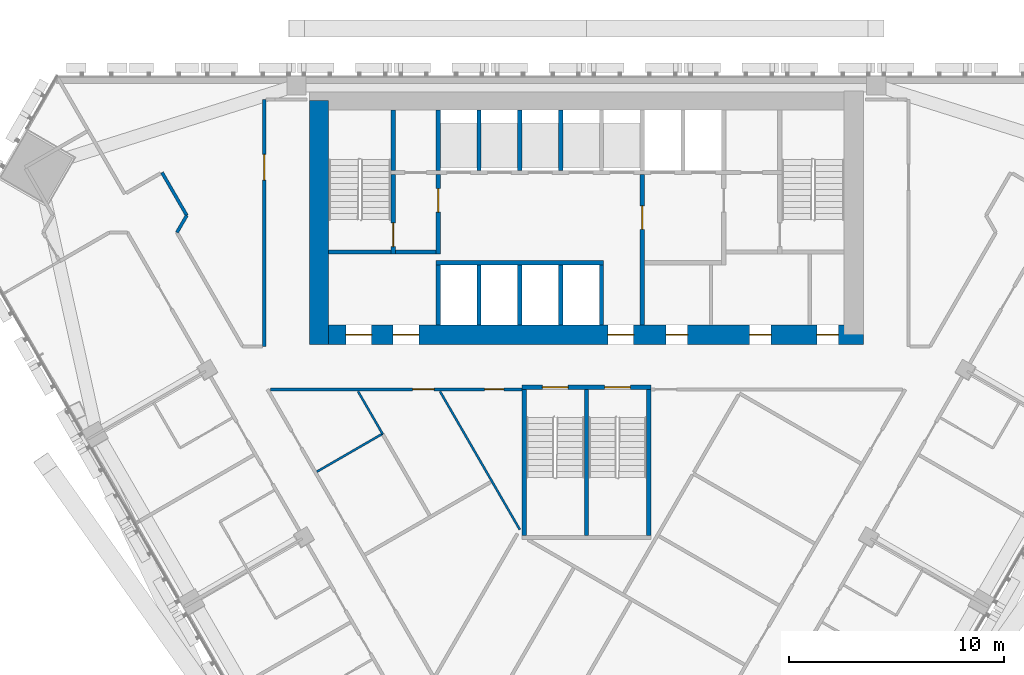
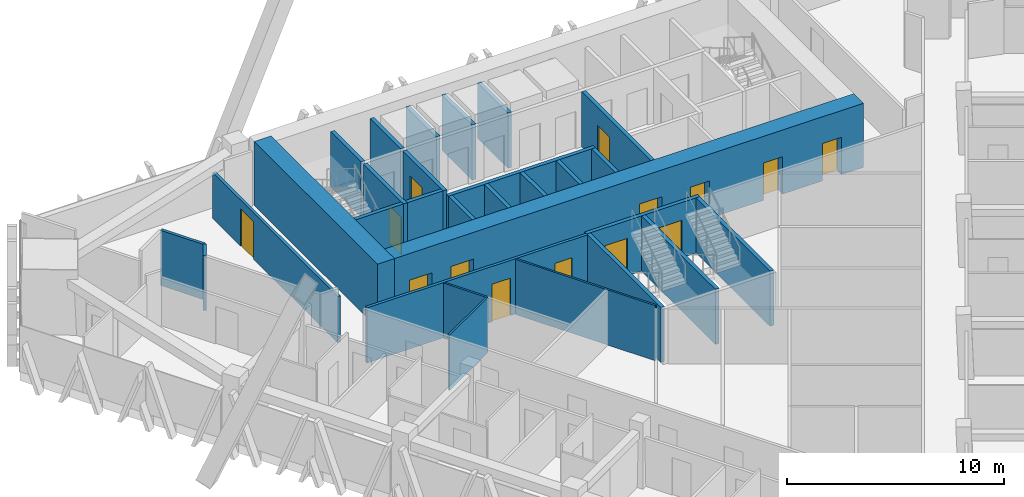
# One storey, part 18 of 23: 29 walls, 14 doors, 14 openings.
"""IFC4 building model written with IfcOpenShell, lengths in metres."""

from ifc_helpers import new_model, si_unit, direction, frame, frame_2d, origin, place, context, subcontext, project, spatial, rectangle, extrude, material, layer, layer_set, type_object, element, fill, save


model = new_model("IFC4")

# Units and contexts
model_context = context("Model", 3, precision=1e-05, world=origin(), true_north=direction((0.0, 1.0)))
body_context = subcontext(model_context, "Body", "Model", "MODEL_VIEW")
ifc_project = project(units=[si_unit("LENGTHUNIT", "METRE"), si_unit("AREAUNIT", "SQUARE_METRE"), si_unit("VOLUMEUNIT", "CUBIC_METRE"), si_unit("PLANEANGLEUNIT", "RADIAN"), si_unit("MASSUNIT", "GRAM", prefix="KILO")], contexts=[model_context])

# Site, building, storey
site_placement = place(None, origin())
site = spatial("IfcSite", under=ifc_project, at=site_placement, CompositionType="ELEMENT")
building_placement = place(site_placement, origin())
building = spatial("IfcBuilding", under=site, at=building_placement, Name="Altiplano Prism Tower", CompositionType="ELEMENT")
storey_placement = place(building_placement, frame((0.0, 0.0, 100.800048828125)))
storey = spatial("IfcBuildingStorey", under=building, at=storey_placement, Name="L25", CompositionType="ELEMENT", Elevation=100.800048828125)

# Wall, openings, doors
ifc_material_1 = material(Name="Concrete C70/85", Category="concrete")
ifc_layer_1 = layer(ifc_material_1, 0.89990234375)
ifc_layer_set_1 = layer_set([ifc_layer_1], Name="Concrete C70/85")
wall_type_1 = type_object("IfcWallType", Name="Core wall 900", PredefinedType="SHEAR", material=ifc_layer_set_1)
wall_1_placement = place(storey_placement, frame((72.550048828125, 92.949951171875, 0.0), z_axis=(0.0, 0.0, 1.0), x_axis=(1.0, 0.0, 0.0)))
wall_1 = element("IfcWall", 1, at=wall_1_placement, inside=storey, type_object=wall_type_1, Name="Core wall S L25", PredefinedType="SHEAR", context=body_context, shape_type="SweptSolid", body=[
    extrude(rectangle(XDim=25.349853515625, YDim=0.89990234375, at=frame_2d((12.6748046875, 0.0))), origin(), (0.0, 0.0, 1.0), 3.599853515625),
])
opening_1_placement = place(wall_1_placement, frame((1.25, 0.0, 0.0)))
opening_1 = element("IfcOpeningElement", 2, at=opening_1_placement, cuts=wall_1, Name="Opening D2925", PredefinedType="OPENING", context=body_context, shape_type="SweptSolid", body=[
    extrude(rectangle(XDim=1.199951171875, YDim=2.10009765625, at=frame_2d((0.60009765625, 1.050048828125))), frame((0.0, 0.46044921875, 0.0), z_axis=(0.0, -1.0, 0.0), x_axis=(1.0, 0.0, 0.0)), (0.0, 0.0, 1.0), 0.9208984375),
])
opening_2_placement = place(wall_1_placement, frame((3.449951171875, 0.0, 0.0)))
opening_2 = element("IfcOpeningElement", 3, at=opening_2_placement, cuts=wall_1, Name="Opening D2926", PredefinedType="OPENING", context=body_context, shape_type="SweptSolid", body=[
    extrude(rectangle(XDim=1.199951171875, YDim=2.10009765625, at=frame_2d((0.60009765625, 1.050048828125))), frame((0.0, 0.46044921875, 0.0), z_axis=(0.0, -1.0, 0.0), x_axis=(1.0, 0.0, 0.0)), (0.0, 0.0, 1.0), 0.9208984375),
])
opening_3_placement = place(wall_1_placement, frame((13.449951171875, 0.0, 0.0)))
opening_3 = element("IfcOpeningElement", 4, at=opening_3_placement, cuts=wall_1, Name="Opening D2927", PredefinedType="OPENING", context=body_context, shape_type="SweptSolid", body=[
    extrude(rectangle(XDim=1.199951171875, YDim=2.10009765625, at=frame_2d((0.60009765625, 1.050048828125))), frame((0.0, 0.46044921875, 0.0), z_axis=(0.0, -1.0, 0.0), x_axis=(1.0, 0.0, 0.0)), (0.0, 0.0, 1.0), 0.9208984375),
])
opening_4_placement = place(wall_1_placement, frame((16.16259765625, 0.0, 0.0)))
opening_4 = element("IfcOpeningElement", 5, at=opening_4_placement, cuts=wall_1, Name="Opening D2930", PredefinedType="OPENING", context=body_context, shape_type="SweptSolid", body=[
    extrude(rectangle(XDim=1.0, YDim=2.10009765625, at=frame_2d((0.5, 1.050048828125))), frame((0.0, 0.46044921875, 0.0), z_axis=(0.0, -1.0, 0.0), x_axis=(1.0, 0.0, 0.0)), (0.0, 0.0, 1.0), 0.9208984375),
])
opening_5_placement = place(wall_1_placement, frame((20.050048828125, 0.0, 0.0)))
opening_5 = element("IfcOpeningElement", 6, at=opening_5_placement, cuts=wall_1, Name="Opening D2931", PredefinedType="OPENING", context=body_context, shape_type="SweptSolid", body=[
    extrude(rectangle(XDim=1.0, YDim=2.10009765625, at=frame_2d((0.5, 1.050048828125))), frame((0.0, 0.46044921875, 0.0), z_axis=(0.0, -1.0, 0.0), x_axis=(1.0, 0.0, 0.0)), (0.0, 0.0, 1.0), 0.9208984375),
])
opening_6_placement = place(wall_1_placement, frame((23.1875, 0.0, 0.0)))
opening_6 = element("IfcOpeningElement", 7, at=opening_6_placement, cuts=wall_1, Name="Opening D2932", PredefinedType="OPENING", context=body_context, shape_type="SweptSolid", body=[
    extrude(rectangle(XDim=1.0, YDim=2.10009765625, at=frame_2d((0.5, 1.050048828125))), frame((0.0, 0.46044921875, 0.0), z_axis=(0.0, -1.0, 0.0), x_axis=(1.0, 0.0, 0.0)), (0.0, 0.0, 1.0), 0.9208984375),
])
ifc_material_2 = material(Name="Fire-rated steel door", Category="steel")
door_type_1 = type_object("IfcDoorType", Name="Core room door 1000 x 2100", OperationType="NOTDEFINED", PredefinedType="NOTDEFINED", material=ifc_material_2)
door_1_placement = place(opening_4_placement, origin())
door_1 = element("IfcDoor", 8, at=door_1_placement, inside=storey, type_object=door_type_1, Name="Core room door D2930", OperationType="SINGLE_SWING_RIGHT", OverallHeight=2.10009765625, OverallWidth=1.0, PredefinedType="NOTDEFINED", context=body_context, shape_type="SweptSolid", body=[
    extrude(rectangle(XDim=1.0, YDim=2.10009765625, at=frame_2d((0.5, 1.050048828125))), frame((0.0, 0.02490234375, 0.0), z_axis=(0.0, -1.0, 0.0), x_axis=(1.0, 0.0, 0.0)), (0.0, 0.0, 1.0), 0.050048828125),
])
fill(opening_4, door_1)
door_2_placement = place(opening_5_placement, origin())
door_2 = element("IfcDoor", 9, at=door_2_placement, inside=storey, type_object=door_type_1, Name="Core room door D2931", OperationType="SINGLE_SWING_LEFT", OverallHeight=2.10009765625, OverallWidth=1.0, PredefinedType="NOTDEFINED", context=body_context, shape_type="SweptSolid", body=[
    extrude(rectangle(XDim=1.0, YDim=2.10009765625, at=frame_2d((0.5, 1.050048828125))), frame((0.0, 0.02490234375, 0.0), z_axis=(0.0, -1.0, 0.0), x_axis=(1.0, 0.0, 0.0)), (0.0, 0.0, 1.0), 0.050048828125),
])
fill(opening_5, door_2)
door_3_placement = place(opening_6_placement, origin())
door_3 = element("IfcDoor", 10, at=door_3_placement, inside=storey, type_object=door_type_1, Name="Core room door D2932", OperationType="SINGLE_SWING_RIGHT", OverallHeight=2.10009765625, OverallWidth=1.0, PredefinedType="NOTDEFINED", context=body_context, shape_type="SweptSolid", body=[
    extrude(rectangle(XDim=1.0, YDim=2.10009765625, at=frame_2d((0.5, 1.050048828125))), frame((0.0, 0.02490234375, 0.0), z_axis=(0.0, -1.0, 0.0), x_axis=(1.0, 0.0, 0.0)), (0.0, 0.0, 1.0), 0.050048828125),
])
fill(opening_6, door_3)
door_type_2 = type_object("IfcDoorType", Name="Lobby fire door 1200 x 2100", OperationType="NOTDEFINED", PredefinedType="NOTDEFINED", material=ifc_material_2)
door_4_placement = place(opening_1_placement, origin())
door_4 = element("IfcDoor", 11, at=door_4_placement, inside=storey, type_object=door_type_2, Name="Lobby fire door D2925", OperationType="SINGLE_SWING_RIGHT", OverallHeight=2.10009765625, OverallWidth=1.199951171875, PredefinedType="NOTDEFINED", context=body_context, shape_type="SweptSolid", body=[
    extrude(rectangle(XDim=1.199951171875, YDim=2.10009765625, at=frame_2d((0.60009765625, 1.050048828125))), frame((0.0, 0.02490234375, 0.0), z_axis=(0.0, -1.0, 0.0), x_axis=(1.0, 0.0, 0.0)), (0.0, 0.0, 1.0), 0.050048828125),
])
fill(opening_1, door_4)
door_5_placement = place(opening_2_placement, origin())
door_5 = element("IfcDoor", 12, at=door_5_placement, inside=storey, type_object=door_type_2, Name="Lobby fire door D2926", OperationType="SINGLE_SWING_LEFT", OverallHeight=2.10009765625, OverallWidth=1.199951171875, PredefinedType="NOTDEFINED", context=body_context, shape_type="SweptSolid", body=[
    extrude(rectangle(XDim=1.199951171875, YDim=2.10009765625, at=frame_2d((0.60009765625, 1.050048828125))), frame((0.0, 0.02490234375, 0.0), z_axis=(0.0, -1.0, 0.0), x_axis=(1.0, 0.0, 0.0)), (0.0, 0.0, 1.0), 0.050048828125),
])
fill(opening_2, door_5)
door_6_placement = place(opening_3_placement, origin())
door_6 = element("IfcDoor", 13, at=door_6_placement, inside=storey, type_object=door_type_2, Name="Lobby fire door D2927", OperationType="SINGLE_SWING_RIGHT", OverallHeight=2.10009765625, OverallWidth=1.199951171875, PredefinedType="NOTDEFINED", context=body_context, shape_type="SweptSolid", body=[
    extrude(rectangle(XDim=1.199951171875, YDim=2.10009765625, at=frame_2d((0.60009765625, 1.050048828125))), frame((0.0, 0.02490234375, 0.0), z_axis=(0.0, -1.0, 0.0), x_axis=(1.0, 0.0, 0.0)), (0.0, 0.0, 1.0), 0.050048828125),
])
fill(opening_3, door_6)

# Walls
wall_2_placement = place(storey_placement, frame((72.550048828125, 103.85009765625, 0.0), z_axis=(0.0, 0.0, 1.0), x_axis=(0.0, -1.0, 0.0)))
element("IfcWall", 14, at=wall_2_placement, inside=storey, type_object=wall_type_1, Name="Core wall W L25", PredefinedType="SHEAR", context=body_context, shape_type="SweptSolid", body=[
    extrude(rectangle(XDim=11.35009765625, YDim=0.89990234375, at=frame_2d((5.675048828125, 0.0))), origin(), (0.0, 0.0, 1.0), 3.599853515625),
])
ifc_material_3 = material(Name="Plasterboard on steel stud", Category="steel")
ifc_layer_2 = layer(ifc_material_3, 0.10009765625)
ifc_layer_set_2 = layer_set([ifc_layer_2], Name="Plasterboard on steel stud")
wall_type_2 = type_object("IfcWallType", Name="Partition 100 wet", PredefinedType="PARTITIONING", material=ifc_layer_set_2)
wall_3_placement = place(storey_placement, frame((75.51611328125, 88.314697265625, 0.0), z_axis=(0.0, 0.0, 1.0), x_axis=(-0.499999010461, 0.866025975094, 0.0)))
element("IfcWall", 15, at=wall_3_placement, inside=storey, type_object=wall_type_2, Name="Partition P03 L25 037", PredefinedType="PARTITIONING", context=body_context, shape_type="SweptSolid", body=[
    extrude(rectangle(XDim=2.29248046875, YDim=0.10009765625, at=frame_2d((1.146240234375, 0.0))), origin(), (0.0, 0.0, 1.0), 3.099853515625),
])
wall_4_placement = place(storey_placement, frame((72.449951171875, 86.567626953125, 0.0), z_axis=(0.0, 0.0, 1.0), x_axis=(0.866033512162, 0.499985955615, 0.0)))
element("IfcWall", 16, at=wall_4_placement, inside=storey, type_object=wall_type_2, Name="Partition P03 L25 038", PredefinedType="PARTITIONING", context=body_context, shape_type="SweptSolid", body=[
    extrude(rectangle(XDim=3.52880859375, YDim=0.10009765625, at=frame_2d((1.764404296875, 0.0))), origin(), (0.0, 0.0, 1.0), 3.099853515625),
])
wall_5_placement = place(storey_placement, frame((78.1865234375, 90.300048828125, 0.0), z_axis=(0.0, 0.0, 1.0), x_axis=(0.499983376661, -0.866035001061, 0.0)))
element("IfcWall", 17, at=wall_5_placement, inside=storey, type_object=wall_type_2, Name="Partition P03 L25 039", PredefinedType="PARTITIONING", context=body_context, shape_type="SweptSolid", body=[
    extrude(rectangle(XDim=7.424560546875, YDim=0.10009765625, at=frame_2d((3.71240234375, 0.0))), origin(), (0.0, 0.0, 1.0), 3.099853515625),
])

# Wall, openings, doors
ifc_layer_3 = layer(ifc_material_3, 0.14990234375)
ifc_layer_set_3 = layer_set([ifc_layer_3], Name="Plasterboard on steel stud")
wall_type_3 = type_object("IfcWallType", Name="Partition 150 corridor", PredefinedType="PARTITIONING", material=ifc_layer_set_3)
wall_6_placement = place(storey_placement, frame((70.28076171875, 90.39990234375, 0.0), z_axis=(0.0, 0.0, 1.0), x_axis=(1.0, 0.0, 0.0)))
wall_6 = element("IfcWall", 18, at=wall_6_placement, inside=storey, type_object=wall_type_3, Name="Partition P06 L25 001", PredefinedType="PARTITIONING", context=body_context, shape_type="SweptSolid", body=[
    extrude(rectangle(XDim=11.71923828125, YDim=0.14990234375, at=frame_2d((5.859619140625, 0.0))), origin(), (0.0, 0.0, 1.0), 3.099853515625),
])
opening_7_placement = place(wall_6_placement, frame((9.97705078125, 0.0, 0.0)))
opening_7 = element("IfcOpeningElement", 19, at=opening_7_placement, cuts=wall_6, Name="Opening D0910", PredefinedType="OPENING", context=body_context, shape_type="SweptSolid", body=[
    extrude(rectangle(XDim=0.89990234375, YDim=2.10009765625, at=frame_2d((0.449951171875, 1.050048828125))), frame((0.0, 0.08544921875, 0.0), z_axis=(0.0, -1.0, 0.0), x_axis=(1.0, 0.0, 0.0)), (0.0, 0.0, 1.0), 0.1708984375),
])
opening_8_placement = place(wall_6_placement, frame((6.625, 0.0, 0.0)))
opening_8 = element("IfcOpeningElement", 20, at=opening_8_placement, cuts=wall_6, Name="Opening D0948", PredefinedType="OPENING", context=body_context, shape_type="SweptSolid", body=[
    extrude(rectangle(XDim=1.0, YDim=2.10009765625, at=frame_2d((0.5, 1.050048828125))), frame((0.0, 0.08544921875, 0.0), z_axis=(0.0, -1.0, 0.0), x_axis=(1.0, 0.0, 0.0)), (0.0, 0.0, 1.0), 0.1708984375),
])
ifc_material_4 = material(Name="Timber", Category="wood")
door_type_3 = type_object("IfcDoorType", Name="Store door 1000 x 2100", OperationType="NOTDEFINED", PredefinedType="NOTDEFINED", material=ifc_material_4)
door_7_placement = place(opening_8_placement, origin())
door_7 = element("IfcDoor", 21, at=door_7_placement, inside=storey, type_object=door_type_3, Name="Door D0948", OperationType="SINGLE_SWING_LEFT", OverallHeight=2.10009765625, OverallWidth=1.0, PredefinedType="NOTDEFINED", context=body_context, shape_type="SweptSolid", body=[
    extrude(rectangle(XDim=1.0, YDim=2.10009765625, at=frame_2d((0.5, 1.050048828125))), frame((0.0, 0.02490234375, 0.0), z_axis=(0.0, -1.0, 0.0), x_axis=(1.0, 0.0, 0.0)), (0.0, 0.0, 1.0), 0.050048828125),
])
fill(opening_8, door_7)
door_type_4 = type_object("IfcDoorType", Name="Toilet door 900 x 2100", OperationType="NOTDEFINED", PredefinedType="NOTDEFINED", material=ifc_material_4)
door_8_placement = place(opening_7_placement, origin())
door_8 = element("IfcDoor", 22, at=door_8_placement, inside=storey, type_object=door_type_4, Name="Door D0910", OperationType="SINGLE_SWING_LEFT", OverallHeight=2.10009765625, OverallWidth=0.89990234375, PredefinedType="NOTDEFINED", context=body_context, shape_type="SweptSolid", body=[
    extrude(rectangle(XDim=0.89990234375, YDim=2.10009765625, at=frame_2d((0.449951171875, 1.050048828125))), frame((0.0, 0.02490234375, 0.0), z_axis=(0.0, -1.0, 0.0), x_axis=(1.0, 0.0, 0.0)), (0.0, 0.0, 1.0), 0.050048828125),
])
fill(opening_7, door_8)

# Wall, opening, door
wall_7_placement = place(storey_placement, frame((70.0, 103.89990234375, 0.0), z_axis=(0.0, 0.0, 1.0), x_axis=(0.0, -1.0, 0.0)))
wall_7 = element("IfcWall", 23, at=wall_7_placement, inside=storey, type_object=wall_type_3, Name="Partition P06 L25 029", PredefinedType="PARTITIONING", context=body_context, shape_type="SweptSolid", body=[
    extrude(rectangle(XDim=11.5, YDim=0.14990234375, at=frame_2d((5.75, 0.0))), origin(), (0.0, 0.0, 1.0), 2.599853515625),
])
opening_9_placement = place(wall_7_placement, frame((2.556884765625, 0.0, 0.0)))
opening_9 = element("IfcOpeningElement", 24, at=opening_9_placement, cuts=wall_7, Name="Opening D0938", PredefinedType="OPENING", context=body_context, shape_type="SweptSolid", body=[
    extrude(rectangle(XDim=1.199951171875, YDim=2.10009765625, at=frame_2d((0.60009765625, 1.050048828125))), frame((0.0, 0.08544921875, 0.0), z_axis=(0.0, -1.0, 0.0), x_axis=(1.0, 0.0, 0.0)), (0.0, 0.0, 1.0), 0.1708984375),
])
door_type_5 = type_object("IfcDoorType", Name="Shared room door 1200 x 2100", OperationType="NOTDEFINED", PredefinedType="NOTDEFINED", material=ifc_material_4)
door_9_placement = place(opening_9_placement, origin())
door_9 = element("IfcDoor", 25, at=door_9_placement, inside=storey, type_object=door_type_5, Name="Door D0938", OperationType="SINGLE_SWING_RIGHT", OverallHeight=2.10009765625, OverallWidth=1.199951171875, PredefinedType="NOTDEFINED", context=body_context, shape_type="SweptSolid", body=[
    extrude(rectangle(XDim=1.199951171875, YDim=2.10009765625, at=frame_2d((0.60009765625, 1.050048828125))), frame((0.0, 0.02490234375, 0.0), z_axis=(0.0, -1.0, 0.0), x_axis=(1.0, 0.0, 0.0)), (0.0, 0.0, 1.0), 0.050048828125),
])
fill(opening_9, door_9)

# Walls
wall_8_placement = place(storey_placement, frame((65.9326171875, 97.706298828125, 0.0), z_axis=(0.0, 0.0, 1.0), x_axis=(0.500006847747, 0.8660214502, 0.0)))
element("IfcWall", 26, at=wall_8_placement, inside=storey, type_object=wall_type_3, Name="Partition P06 L25 032", PredefinedType="PARTITIONING", context=body_context, shape_type="SweptSolid", body=[
    extrude(rectangle(XDim=0.91650390625, YDim=0.14990234375, at=frame_2d((0.458251953125, 0.0))), origin(), (0.0, 0.0, 1.0), 3.099853515625),
])
wall_9_placement = place(storey_placement, frame((66.390869140625, 98.5, 0.0), z_axis=(0.0, 0.0, 1.0), x_axis=(-0.500027479704, 0.866009537788, 0.0)))
element("IfcWall", 27, at=wall_9_placement, inside=storey, type_object=wall_type_3, Name="Partition P06 L25 033", PredefinedType="PARTITIONING", context=body_context, shape_type="SweptSolid", body=[
    extrude(rectangle(XDim=2.309326171875, YDim=0.14990234375, at=frame_2d((1.15478515625, 0.0))), origin(), (0.0, 0.0, 1.0), 3.099853515625),
])
ifc_material_5 = material(Name="Concrete C60/75", Category="concrete")
ifc_layer_4 = layer(ifc_material_5, 0.199951171875)
ifc_layer_set_4 = layer_set([ifc_layer_4], Name="Concrete C60/75")
wall_type_4 = type_object("IfcWallType", Name="Shaft wall 200", PredefinedType="SOLIDWALL", material=ifc_layer_set_4)
for number, where, z_axis, x_axis, name in (
    (28, (78.10009765625, 93.39990234375, 0.0), (0.0, 0.0, 1.0), (0.0, 1.0, 0.0), "Shaft wall L25"),
    (29, (80.0, 93.39990234375, 0.0), (0.0, 0.0, 1.0), (0.0, 1.0, 0.0), "Shaft wall L25"),
    (30, (81.89990234375, 93.39990234375, 0.0), (0.0, 0.0, 1.0), (0.0, 1.0, 0.0), "Shaft wall L25"),
    (31, (83.800048828125, 93.39990234375, 0.0), (0.0, 0.0, 1.0), (0.0, 1.0, 0.0), "Shaft wall L25"),
    (32, (85.699951171875, 93.39990234375, 0.0), (0.0, 0.0, 1.0), (0.0, 1.0, 0.0), "Shaft wall L25"),
):
    element("IfcWall", number, at=place(storey_placement, frame(where, z_axis=z_axis, x_axis=x_axis)), inside=storey, type_object=wall_type_4, Name=name, PredefinedType="SOLIDWALL", context=body_context, shape_type="SweptSolid", body=[
        extrude(rectangle(XDim=2.800048828125, YDim=0.199951171875, at=frame_2d((1.39990234375, 0.0))), origin(), (0.0, 0.0, 1.0), 3.099853515625),
    ])
wall_10_placement = place(storey_placement, frame((78.0, 96.300048828125, 0.0), z_axis=(0.0, 0.0, 1.0), x_axis=(1.0, 0.0, 0.0)))
element("IfcWall", 33, at=wall_10_placement, inside=storey, type_object=wall_type_4, Name="Shaft wall L25", PredefinedType="SOLIDWALL", context=body_context, shape_type="SweptSolid", body=[
    extrude(rectangle(XDim=7.800048828125, YDim=0.199951171875, at=frame_2d((3.89990234375, 0.0))), origin(), (0.0, 0.0, 1.0), 3.099853515625),
])
for number, where, z_axis, x_axis, name in (
    (34, (78.10009765625, 100.60009765625, 0.0), (0.0, 0.0, 1.0), (0.0, 1.0, 0.0), "Shaft wall L25"),
    (35, (80.0, 100.60009765625, 0.0), (0.0, 0.0, 1.0), (0.0, 1.0, 0.0), "Shaft wall L25"),
    (36, (81.89990234375, 100.60009765625, 0.0), (0.0, 0.0, 1.0), (0.0, 1.0, 0.0), "Shaft wall L25"),
    (37, (83.800048828125, 100.60009765625, 0.0), (0.0, 0.0, 1.0), (0.0, 1.0, 0.0), "Shaft wall L25"),
):
    element("IfcWall", number, at=place(storey_placement, frame(where, z_axis=z_axis, x_axis=x_axis)), inside=storey, type_object=wall_type_4, Name=name, PredefinedType="SOLIDWALL", context=body_context, shape_type="SweptSolid", body=[
        extrude(rectangle(XDim=2.7998046875, YDim=0.199951171875, at=frame_2d((1.39990234375, 0.0))), origin(), (0.0, 0.0, 1.0), 3.099853515625),
    ])
ifc_layer_5 = layer(ifc_material_5, 0.199951171875)
ifc_layer_set_5 = layer_set([ifc_layer_5], Name="Concrete C60/75")
wall_type_5 = type_object("IfcWallType", Name="Stair wall 200", PredefinedType="SOLIDWALL", material=ifc_layer_set_5)
wall_11_placement = place(storey_placement, frame((73.0, 96.800048828125, 0.0), z_axis=(0.0, 0.0, 1.0), x_axis=(1.0, 0.0, 0.0)))
element("IfcWall", 38, at=wall_11_placement, inside=storey, type_object=wall_type_5, Name="Stair wall L25", PredefinedType="SOLIDWALL", context=body_context, shape_type="SweptSolid", body=[
    extrude(rectangle(XDim=2.89990234375, YDim=0.199951171875, at=frame_2d((1.449951171875, 0.0))), origin(), (0.0, 0.0, 1.0), 3.099853515625),
])

# Wall, opening, door
wall_12_placement = place(storey_placement, frame((76.0, 96.699951171875, 0.0), z_axis=(0.0, 0.0, 1.0), x_axis=(0.0, 1.0, 0.0)))
wall_12 = element("IfcWall", 39, at=wall_12_placement, inside=storey, type_object=wall_type_5, Name="Stair wall L25", PredefinedType="SOLIDWALL", context=body_context, shape_type="SweptSolid", body=[
    extrude(rectangle(XDim=3.699951171875, YDim=0.199951171875, at=frame_2d((1.85009765625, 0.0))), origin(), (0.0, 0.0, 1.0), 3.099853515625),
])
opening_10_placement = place(wall_12_placement, frame((0.35009765625, 0.0, 0.0)))
opening_10 = element("IfcOpeningElement", 40, at=opening_10_placement, cuts=wall_12, Name="Opening D2920", PredefinedType="OPENING", context=body_context, shape_type="SweptSolid", body=[
    extrude(rectangle(XDim=1.10009765625, YDim=2.10009765625, at=frame_2d((0.550048828125, 1.050048828125))), frame((0.0, 0.1103515625, 0.0), z_axis=(0.0, -1.0, 0.0), x_axis=(1.0, 0.0, 0.0)), (0.0, 0.0, 1.0), 0.220947265625),
])
door_type_6 = type_object("IfcDoorType", Name="Stair fire door 1100 x 2100", OperationType="NOTDEFINED", PredefinedType="NOTDEFINED", material=ifc_material_2)
door_10_placement = place(opening_10_placement, origin())
door_10 = element("IfcDoor", 41, at=door_10_placement, inside=storey, type_object=door_type_6, Name="Stair fire door D2920", OperationType="SINGLE_SWING_RIGHT", OverallHeight=2.10009765625, OverallWidth=1.10009765625, PredefinedType="NOTDEFINED", context=body_context, shape_type="SweptSolid", body=[
    extrude(rectangle(XDim=1.10009765625, YDim=2.10009765625, at=frame_2d((0.550048828125, 1.050048828125))), frame((0.0, 0.02490234375, 0.0), z_axis=(0.0, -1.0, 0.0), x_axis=(1.0, 0.0, 0.0)), (0.0, 0.0, 1.0), 0.050048828125),
])
fill(opening_10, door_10)

# Wall
wall_13_placement = place(storey_placement, frame((76.0, 100.60009765625, 0.0), z_axis=(0.0, 0.0, 1.0), x_axis=(0.0, 1.0, 0.0)))
element("IfcWall", 42, at=wall_13_placement, inside=storey, type_object=wall_type_5, Name="Stair wall L25", PredefinedType="SOLIDWALL", context=body_context, shape_type="SweptSolid", body=[
    extrude(rectangle(XDim=2.7998046875, YDim=0.199951171875, at=frame_2d((1.39990234375, 0.0))), origin(), (0.0, 0.0, 1.0), 3.099853515625),
])

# Wall, openings, doors
wall_14_placement = place(storey_placement, frame((82.0, 90.5, 0.0), z_axis=(0.0, 0.0, 1.0), x_axis=(1.0, 0.0, 0.0)))
wall_14 = element("IfcWall", 43, at=wall_14_placement, inside=storey, type_object=wall_type_5, Name="Stair 3 wall north L25", PredefinedType="SOLIDWALL", context=body_context, shape_type="SweptSolid", body=[
    extrude(rectangle(XDim=6.0, YDim=0.199951171875, at=frame_2d((3.0, 0.0))), origin(), (0.0, 0.0, 1.0), 3.099853515625),
])
opening_11_placement = place(wall_14_placement, frame((0.949951171875, 0.0, 0.0)))
opening_11 = element("IfcOpeningElement", 44, at=opening_11_placement, cuts=wall_14, Name="Opening D3972", PredefinedType="OPENING", context=body_context, shape_type="SweptSolid", body=[
    extrude(rectangle(XDim=1.199951171875, YDim=2.10009765625, at=frame_2d((0.60009765625, 1.050048828125))), frame((0.0, 0.1103515625, 0.0), z_axis=(0.0, -1.0, 0.0), x_axis=(1.0, 0.0, 0.0)), (0.0, 0.0, 1.0), 0.220947265625),
])
opening_12_placement = place(wall_14_placement, frame((3.85009765625, 0.0, 0.0)))
opening_12 = element("IfcOpeningElement", 45, at=opening_12_placement, cuts=wall_14, Name="Opening D3973", PredefinedType="OPENING", context=body_context, shape_type="SweptSolid", body=[
    extrude(rectangle(XDim=1.199951171875, YDim=2.10009765625, at=frame_2d((0.60009765625, 1.050048828125))), frame((0.0, 0.1103515625, 0.0), z_axis=(0.0, -1.0, 0.0), x_axis=(1.0, 0.0, 0.0)), (0.0, 0.0, 1.0), 0.220947265625),
])
door_type_7 = type_object("IfcDoorType", Name="Stair fire door 1200 x 2100", OperationType="NOTDEFINED", PredefinedType="NOTDEFINED", material=ifc_material_2)
door_11_placement = place(opening_11_placement, origin())
door_11 = element("IfcDoor", 46, at=door_11_placement, inside=storey, type_object=door_type_7, Name="Stair fire door D3972", OperationType="SINGLE_SWING_LEFT", OverallHeight=2.10009765625, OverallWidth=1.199951171875, PredefinedType="NOTDEFINED", context=body_context, shape_type="SweptSolid", body=[
    extrude(rectangle(XDim=1.199951171875, YDim=2.10009765625, at=frame_2d((0.60009765625, 1.050048828125))), frame((0.0, 0.02490234375, 0.0), z_axis=(0.0, -1.0, 0.0), x_axis=(1.0, 0.0, 0.0)), (0.0, 0.0, 1.0), 0.050048828125),
])
fill(opening_11, door_11)
door_12_placement = place(opening_12_placement, origin())
door_12 = element("IfcDoor", 47, at=door_12_placement, inside=storey, type_object=door_type_7, Name="Stair fire door D3973", OperationType="SINGLE_SWING_LEFT", OverallHeight=2.10009765625, OverallWidth=1.199951171875, PredefinedType="NOTDEFINED", context=body_context, shape_type="SweptSolid", body=[
    extrude(rectangle(XDim=1.199951171875, YDim=2.10009765625, at=frame_2d((0.60009765625, 1.050048828125))), frame((0.0, 0.02490234375, 0.0), z_axis=(0.0, -1.0, 0.0), x_axis=(1.0, 0.0, 0.0)), (0.0, 0.0, 1.0), 0.050048828125),
])
fill(opening_12, door_12)

# Walls
for number, where, z_axis, x_axis, name in (
    (48, (82.10009765625, 83.60009765625, 0.0), (0.0, 0.0, 1.0), (0.0, 1.0, 0.0), "Stair 3 wall west L25"),
    (49, (87.89990234375, 83.60009765625, 0.0), (0.0, 0.0, 1.0), (0.0, 1.0, 0.0), "Stair 3 wall east L25"),
    (50, (85.0, 83.60009765625, 0.0), (0.0, 0.0, 1.0), (0.0, 1.0, 0.0), "Stair 3 wall divider L25"),
):
    element("IfcWall", number, at=place(storey_placement, frame(where, z_axis=z_axis, x_axis=x_axis)), inside=storey, type_object=wall_type_5, Name=name, PredefinedType="SOLIDWALL", context=body_context, shape_type="SweptSolid", body=[
        extrude(rectangle(XDim=6.7998046875, YDim=0.199951171875, at=frame_2d((3.39990234375, 0.0))), origin(), (0.0, 0.0, 1.0), 3.099853515625),
    ])

# Wall, opening, door
ifc_layer_6 = layer(ifc_material_5, 0.199951171875)
ifc_layer_set_6 = layer_set([ifc_layer_6], Name="Concrete C60/75")
wall_type_6 = type_object("IfcWallType", Name="Vestibule wall 200", PredefinedType="PARTITIONING", material=ifc_layer_set_6)
wall_15_placement = place(storey_placement, frame((87.60009765625, 93.39990234375, 0.0), z_axis=(0.0, 0.0, 1.0), x_axis=(0.0, 1.0, 0.0)))
wall_15 = element("IfcWall", 51, at=wall_15_placement, inside=storey, type_object=wall_type_6, Name="Vestibule wall L25", PredefinedType="PARTITIONING", context=body_context, shape_type="SweptSolid", body=[
    extrude(rectangle(XDim=7.0, YDim=0.199951171875, at=frame_2d((3.5, 0.0))), origin(), (0.0, 0.0, 1.0), 3.099853515625),
])
opening_13_placement = place(wall_15_placement, frame((4.449951171875, 0.0, 0.0)))
opening_13 = element("IfcOpeningElement", 52, at=opening_13_placement, cuts=wall_15, Name="Opening D2923", PredefinedType="OPENING", context=body_context, shape_type="SweptSolid", body=[
    extrude(rectangle(XDim=1.10009765625, YDim=2.10009765625, at=frame_2d((0.550048828125, 1.050048828125))), frame((0.0, 0.1103515625, 0.0), z_axis=(0.0, -1.0, 0.0), x_axis=(1.0, 0.0, 0.0)), (0.0, 0.0, 1.0), 0.220947265625),
])
door_type_8 = type_object("IfcDoorType", Name="Vestibule fire door 1100 x 2100", OperationType="NOTDEFINED", PredefinedType="NOTDEFINED", material=ifc_material_2)
door_13_placement = place(opening_13_placement, origin())
door_13 = element("IfcDoor", 53, at=door_13_placement, inside=storey, type_object=door_type_8, Name="Vestibule fire door D2923", OperationType="SINGLE_SWING_RIGHT", OverallHeight=2.10009765625, OverallWidth=1.10009765625, PredefinedType="NOTDEFINED", context=body_context, shape_type="SweptSolid", body=[
    extrude(rectangle(XDim=1.10009765625, YDim=2.10009765625, at=frame_2d((0.550048828125, 1.050048828125))), frame((0.0, 0.02490234375, 0.0), z_axis=(0.0, -1.0, 0.0), x_axis=(1.0, 0.0, 0.0)), (0.0, 0.0, 1.0), 0.050048828125),
])
fill(opening_13, door_13)

# Wall
wall_16_placement = place(storey_placement, frame((76.10009765625, 96.800048828125, 0.0), z_axis=(0.0, 0.0, 1.0), x_axis=(1.0, 0.0, 0.0)))
element("IfcWall", 54, at=wall_16_placement, inside=storey, type_object=wall_type_6, Name="Vestibule wall L25", PredefinedType="PARTITIONING", context=body_context, shape_type="SweptSolid", body=[
    extrude(rectangle(XDim=1.89990234375, YDim=0.199951171875, at=frame_2d((0.949951171875, 0.0))), origin(), (0.0, 0.0, 1.0), 3.099853515625),
])

# Wall, opening, door
wall_17_placement = place(storey_placement, frame((78.10009765625, 96.699951171875, 0.0), z_axis=(0.0, 0.0, 1.0), x_axis=(0.0, 1.0, 0.0)))
wall_17 = element("IfcWall", 55, at=wall_17_placement, inside=storey, type_object=wall_type_6, Name="Vestibule wall L25", PredefinedType="PARTITIONING", context=body_context, shape_type="SweptSolid", body=[
    extrude(rectangle(XDim=3.699951171875, YDim=0.199951171875, at=frame_2d((1.85009765625, 0.0))), origin(), (0.0, 0.0, 1.0), 3.099853515625),
])
opening_14_placement = place(wall_17_placement, frame((1.949951171875, 0.0, 0.0)))
opening_14 = element("IfcOpeningElement", 56, at=opening_14_placement, cuts=wall_17, Name="Opening D2922", PredefinedType="OPENING", context=body_context, shape_type="SweptSolid", body=[
    extrude(rectangle(XDim=1.10009765625, YDim=2.10009765625, at=frame_2d((0.550048828125, 1.050048828125))), frame((0.0, 0.1103515625, 0.0), z_axis=(0.0, -1.0, 0.0), x_axis=(1.0, 0.0, 0.0)), (0.0, 0.0, 1.0), 0.220947265625),
])
door_14_placement = place(opening_14_placement, origin())
door_14 = element("IfcDoor", 57, at=door_14_placement, inside=storey, type_object=door_type_8, Name="Vestibule fire door D2922", OperationType="SINGLE_SWING_LEFT", OverallHeight=2.10009765625, OverallWidth=1.10009765625, PredefinedType="NOTDEFINED", context=body_context, shape_type="SweptSolid", body=[
    extrude(rectangle(XDim=1.10009765625, YDim=2.10009765625, at=frame_2d((0.550048828125, 1.050048828125))), frame((0.0, 0.02490234375, 0.0), z_axis=(0.0, -1.0, 0.0), x_axis=(1.0, 0.0, 0.0)), (0.0, 0.0, 1.0), 0.050048828125),
])
fill(opening_14, door_14)

save(model, "model.ifc")
